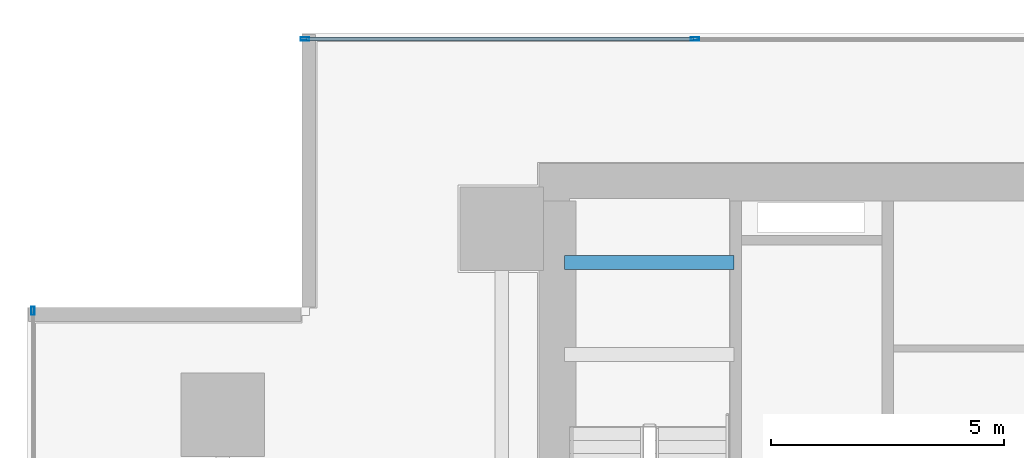
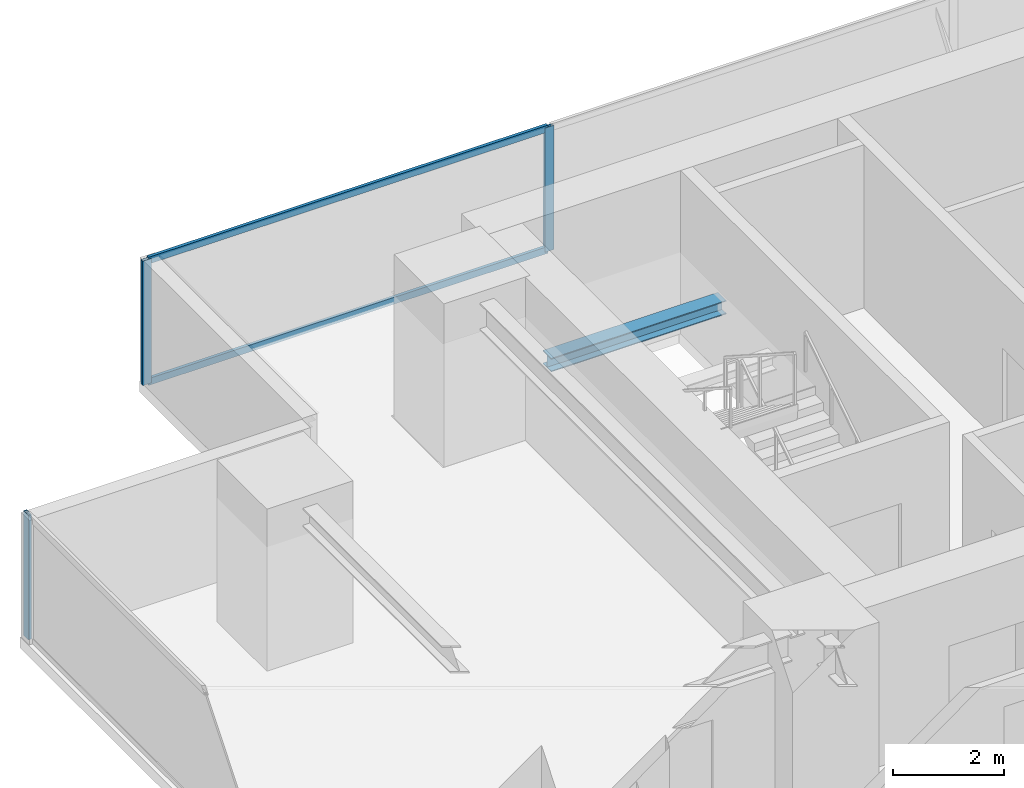
# One storey, part 17 of 32: 5 members, 1 beam, 2 elements without a shape of their own.
"""IFC4 building model written with IfcOpenShell, lengths in metres."""

from ifc_helpers import new_model, si_unit, direction, frame, origin, origin_2d, place, context, subcontext, project, spatial, hollow_rectangle, i_section, extrude, source, transform, mapped, material, layer, layer_set, material_profile, profile_set, type_object, element, aggregate, save


model = new_model("IFC4")

# Units and contexts
model_context = context("Model", 3, precision=1e-05, world=origin(), true_north=direction((0.0, 1.0)))
body_context = subcontext(model_context, "Body", "Model", "MODEL_VIEW")
ifc_project = project(units=[si_unit("LENGTHUNIT", "METRE"), si_unit("AREAUNIT", "SQUARE_METRE"), si_unit("VOLUMEUNIT", "CUBIC_METRE"), si_unit("PLANEANGLEUNIT", "RADIAN"), si_unit("MASSUNIT", "GRAM", prefix="KILO")], contexts=[model_context])

# Site, building, storey
site_placement = place(None, origin())
site = spatial("IfcSite", under=ifc_project, at=site_placement, CompositionType="ELEMENT")
building_placement = place(site_placement, origin())
building = spatial("IfcBuilding", under=site, at=building_placement, Name="Sumidabori Civic Tower", CompositionType="ELEMENT")
storey_placement = place(building_placement, frame((0.0, 0.0, 45.199951171875)))
storey = spatial("IfcBuildingStorey", under=building, at=storey_placement, Name="L11", CompositionType="ELEMENT", Elevation=45.199951171875)

# Beam
ifc_material_1 = material(Name="Steel SN490", Category="steel")
ifc_material_profile_1 = material_profile(ifc_material_1, i_section(OverallWidth=0.300048828125, OverallDepth=0.300048828125, WebThickness=0.010986328125, FlangeThickness=0.01904296875, at=origin_2d()), Name="HE 300 B")
ifc_profile_set_1 = profile_set([ifc_material_profile_1], Name="Steel SN490")
beam_type = type_object("IfcBeamType", Name="BM-LDG-300", PredefinedType="BEAM", material=ifc_profile_set_1)
shared_shape_1 = source(origin(), body_context, "Body", "SweptSolid", [
    extrude(i_section(OverallWidth=0.300048828125, OverallDepth=0.300048828125, WebThickness=0.010986328125, FlangeThickness=0.01904296875, at=origin_2d()), origin(), (0.0, 0.0, 1.0), 3.64990234375),
])
beam_placement = place(storey_placement, frame((-15.449951171875, 22.069580078125, 1.449951171875), z_axis=(1.0, 0.0, 0.0), x_axis=(0.0, 1.0, 0.0)))
element("IfcBeam", 1, at=beam_placement, inside=storey, type_object=beam_type, Name="Stair ST-1 Landing Trimmer Beam L11-1B", PredefinedType="BEAM", context=body_context, shape_type="MappedRepresentation", body=[
    mapped(shared_shape_1, transform((0.0, 0.0, 0.0), x_axis=(1.0, 0.0, 0.0), y_axis=(0.0, 1.0, 0.0), z_axis=(0.0, 0.0, 1.0), scale=1.0)),
])

# Curtain wall, members
ifc_material_2 = material(Name="Anodised Bronze Aluminium AW-6063-T6", Category="aluminium")
ifc_layer = layer(ifc_material_2, 0.179931640625, Name="Anodised Bronze Aluminium AW-6063-T6")
ifc_layer_set = layer_set([ifc_layer], Name="Anodised Bronze Aluminium AW-6063-T6")
curtain_wall_type = type_object("IfcCurtainWallType", Name="CW-SYS-2", PredefinedType="NOTDEFINED", material=ifc_layer_set)
curtain_wall_1_placement = place(storey_placement, origin())
curtain_wall_1 = element("IfcCurtainWall", 2, at=curtain_wall_1_placement, inside=storey, type_object=curtain_wall_type, Name="Curtain Wall CW:L11:R07", PredefinedType="NOTDEFINED")
ifc_material_profile_2 = material_profile(ifc_material_2, hollow_rectangle(XDim=0.070068359375, YDim=0.179931640625, WallThickness=0.006103515625, at=origin_2d()), Name="ALU MULLION 180x70")
ifc_profile_set_2 = profile_set([ifc_material_profile_2], Name="Anodised Bronze Aluminium AW-6063-T6")
member_type_1 = type_object("IfcMemberType", Name="CW-MUL-180", PredefinedType="MULLION", material=ifc_profile_set_2)
shared_shape_2 = source(origin(), body_context, "Body", "SweptSolid", [
    extrude(hollow_rectangle(XDim=0.070068359375, YDim=0.179931640625, WallThickness=0.006103515625, at=origin_2d()), origin(), (0.0, 0.0, 1.0), 2.739990234375),
])
member_1_placement = place(storey_placement, frame((-12.64208984375, 26.8798828125, 0.0), z_axis=(0.0, 0.0, 1.0), x_axis=(0.0, -1.0, 0.0)))
member_1 = element("IfcMember", 3, at=member_1_placement, type_object=member_type_1, Name="CW-2 mullion 5", PredefinedType="MULLION", context=body_context, shape_type="MappedRepresentation", body=[
    mapped(shared_shape_2, transform((0.0, 0.0, 0.0), x_axis=(1.0, 0.0, 0.0), y_axis=(0.0, 1.0, 0.0), z_axis=(0.0, 0.0, 1.0), scale=1.0)),
])
member_2_placement = place(storey_placement, frame((-21.034912109375, 26.8798828125, 0.0), z_axis=(0.0, 0.0, 1.0), x_axis=(0.0, -1.0, 0.0)))
member_2 = element("IfcMember", 4, at=member_2_placement, type_object=member_type_1, Name="CW-2 mullion 6", PredefinedType="MULLION", context=body_context, shape_type="MappedRepresentation", body=[
    mapped(shared_shape_2, transform((0.0, 0.0, 0.0), x_axis=(1.0, 0.0, 0.0), y_axis=(0.0, 1.0, 0.0), z_axis=(0.0, 0.0, 1.0), scale=1.0)),
])

# Curtain wall, member
curtain_wall_2_placement = place(storey_placement, origin())
curtain_wall_2 = element("IfcCurtainWall", 5, at=curtain_wall_2_placement, inside=storey, type_object=curtain_wall_type, Name="Curtain Wall CW:L11:R10", PredefinedType="NOTDEFINED")
member_3_placement = place(storey_placement, frame((-26.8798828125, 21.034912109375, 0.0), z_axis=(0.0, 0.0, 1.0), x_axis=(1.0, 0.0, 0.0)))
member_3 = element("IfcMember", 6, at=member_3_placement, type_object=member_type_1, Name="CW-2 mullion 1", PredefinedType="MULLION", context=body_context, shape_type="MappedRepresentation", body=[
    mapped(shared_shape_2, transform((0.0, 0.0, 0.0), x_axis=(1.0, 0.0, 0.0), y_axis=(0.0, 1.0, 0.0), z_axis=(0.0, 0.0, 1.0), scale=1.0)),
])
aggregate(curtain_wall_2, [member_3])

# Member
ifc_material_profile_3 = material_profile(ifc_material_2, hollow_rectangle(XDim=0.06494140625, YDim=0.14990234375, WallThickness=0.0048828125, at=origin_2d()), Name="ALU TRANSOM 150x65")
ifc_profile_set_3 = profile_set([ifc_material_profile_3], Name="Anodised Bronze Aluminium AW-6063-T6")
member_type_2 = type_object("IfcMemberType", Name="CW-TRN-150", PredefinedType="USERDEFINED", material=ifc_profile_set_3)
shared_shape_3 = source(origin(), body_context, "Body", "SweptSolid", [
    extrude(hollow_rectangle(XDim=0.06494140625, YDim=0.14990234375, WallThickness=0.0048828125, at=origin_2d()), origin(), (0.0, 0.0, 1.0), 8.322998046875),
])
member_4_placement = place(storey_placement, frame((-12.677001953125, 26.8798828125, 0.032470703125), z_axis=(-1.0, 0.0, 0.0), x_axis=(0.0, -1.0, 0.0)))
member_4 = element("IfcMember", 7, at=member_4_placement, type_object=member_type_2, Name="CW-2 transom 5.1", ObjectType="TRANSOM", PredefinedType="USERDEFINED", context=body_context, shape_type="MappedRepresentation", body=[
    mapped(shared_shape_3, transform((0.0, 0.0, 0.0), x_axis=(1.0, 0.0, 0.0), y_axis=(0.0, 1.0, 0.0), z_axis=(0.0, 0.0, 1.0), scale=1.0)),
])

member_5_placement = place(storey_placement, frame((-12.677001953125, 26.8798828125, 2.70751953125), z_axis=(-1.0, 0.0, 0.0), x_axis=(0.0, -1.0, 0.0)))
member_5 = element("IfcMember", 8, at=member_5_placement, type_object=member_type_2, Name="CW-2 transom 5.2", ObjectType="TRANSOM", PredefinedType="USERDEFINED", context=body_context, shape_type="MappedRepresentation", body=[
    mapped(shared_shape_3, transform((0.0, 0.0, 0.0), x_axis=(1.0, 0.0, 0.0), y_axis=(0.0, 1.0, 0.0), z_axis=(0.0, 0.0, 1.0), scale=1.0)),
])

aggregate(curtain_wall_1, [member_1, member_2, member_4, member_5])

save(model, "model.ifc")
